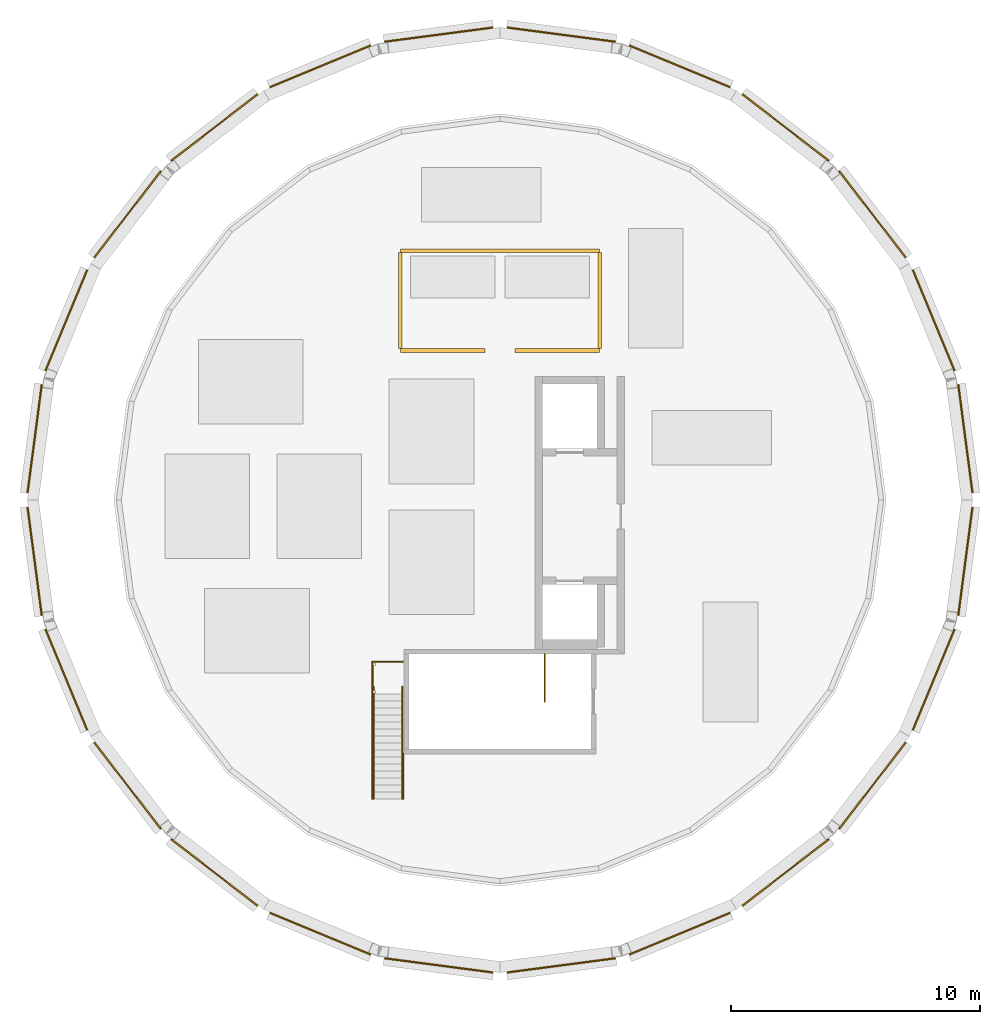
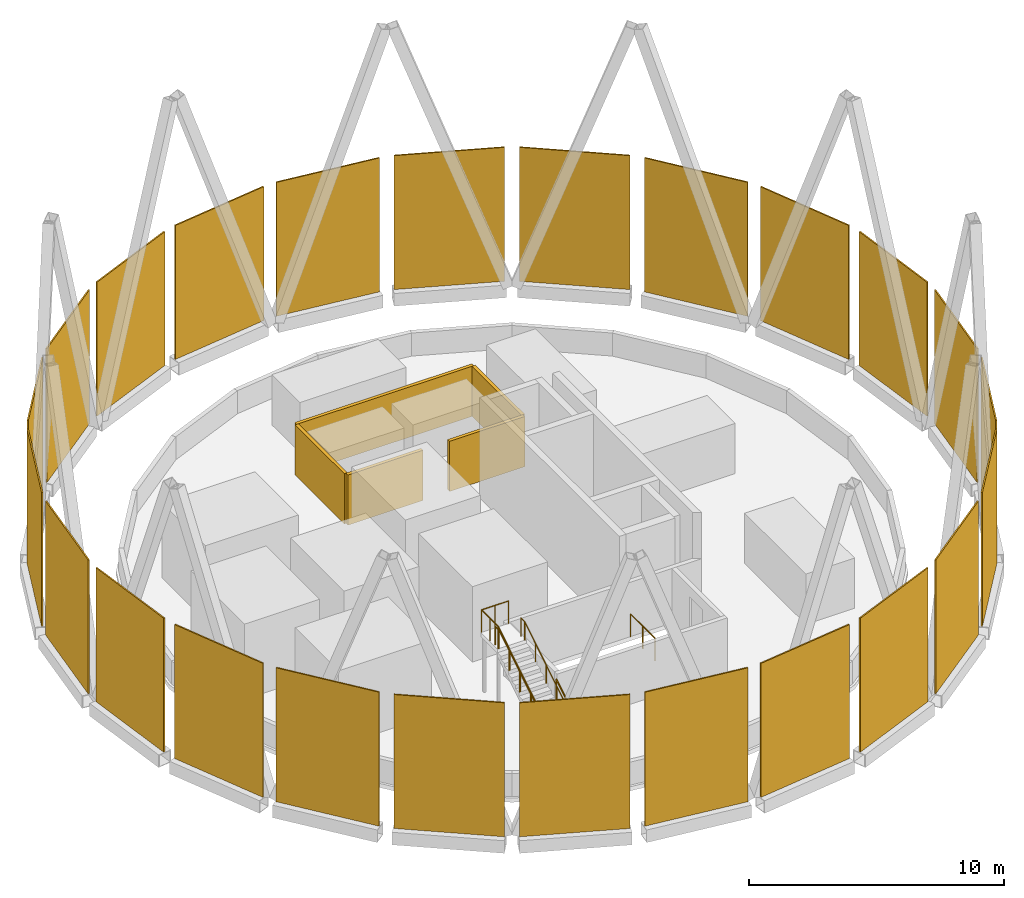
# One storey, part 3 of 4: 24 shading devices, 5 coverings, 5 railings.
"""IFC4 building model written with IfcOpenShell, lengths in metres."""

from ifc_helpers import new_model, si_unit, direction, frame, origin, origin_2d, place, context, subcontext, project, spatial, rectangle, circle, extrude, source, transform, mapped, material, layer, layer_set, type_object, element, save


model = new_model("IFC4")

# Units and contexts
model_context = context("Model", 3, precision=1e-05, world=origin(), true_north=direction((0.0, 1.0)))
body_context = subcontext(model_context, "Body", "Model", "MODEL_VIEW")
ifc_project = project(units=[si_unit("LENGTHUNIT", "METRE"), si_unit("AREAUNIT", "SQUARE_METRE"), si_unit("VOLUMEUNIT", "CUBIC_METRE"), si_unit("PLANEANGLEUNIT", "RADIAN"), si_unit("MASSUNIT", "GRAM", prefix="KILO")], contexts=[model_context])

# Site, building, storey
site_placement = place(None, origin())
site = spatial("IfcSite", under=ifc_project, at=site_placement, CompositionType="ELEMENT")
building_placement = place(site_placement, origin())
building = spatial("IfcBuilding", under=site, at=building_placement, Name="Triune Harvest Tower", CompositionType="ELEMENT")
storey_placement = place(building_placement, frame((0.0, 0.0, 299.699951171875)))
storey = spatial("IfcBuildingStorey", under=building, at=storey_placement, Name="RF", CompositionType="ELEMENT", Elevation=299.699951171875)

# Covering
ifc_material_1 = material(Name="Aluminium bronze anodised", Category="aluminium")
ifc_layer_1 = layer(ifc_material_1, 0.14990234375)
ifc_layer_set_1 = layer_set([ifc_layer_1], Name="Aluminium bronze anodised")
covering_type = type_object("IfcCoveringType", Name="SC-1 plant screen", PredefinedType="CLADDING", material=ifc_layer_set_1)
covering_placement = place(storey_placement, frame((0.0, 10.0, 0.0), z_axis=(0.0, 0.0, 1.0), x_axis=(1.0, 0.0, 0.0)))
element("IfcCovering", 1, at=covering_placement, inside=storey, type_object=covering_type, Name="Plant screen 2", PredefinedType="CLADDING", context=body_context, shape_type="SweptSolid", body=[
    extrude(rectangle(XDim=8.0, YDim=0.14990234375, at=origin_2d()), origin(), (0.0, 0.0, 1.0), 2.39990234375),
])

# Railings
ifc_material_2 = material(Name="Stainless steel AISI 316", Category="steel")
railing_type_1 = type_object("IfcRailingType", Name="Stair well guard 1100", PredefinedType="GUARDRAIL", material=ifc_material_2)
railing_1_placement = place(storey_placement, frame((1.7900390625, -6.18994140625, 0.0)))
element("IfcRailing", 2, at=railing_1_placement, inside=storey, type_object=railing_type_1, Name="Exit stair south well guard", PredefinedType="GUARDRAIL", context=body_context, shape_type="SweptSolid", body=[
    extrude(circle(Radius=0.02392578125, at=origin_2d()), frame((0.0, 0.0, 1.076171875), z_axis=(0.0, -1.0, 0.0), x_axis=(1.0, 0.0, 0.0)), (0.0, 0.0, 1.0), 1.900146484375),
    extrude(circle(Radius=0.02099609375, at=origin_2d()), origin(), (0.0, 0.0, 1.0), 1.052001953125),
    extrude(circle(Radius=0.02099609375, at=origin_2d()), frame((0.0, -0.9501953125, 0.0)), (0.0, 0.0, 1.0), 1.052001953125),
    extrude(circle(Radius=0.02099609375, at=origin_2d()), frame((0.0, -1.900146484375, 0.0)), (0.0, 0.0, 1.0), 1.052001953125),
])
railing_2_placement = place(storey_placement, frame((-5.1201171875, -11.989990234375, 0.175048828125)))
element("IfcRailing", 3, at=railing_2_placement, inside=storey, type_object=railing_type_1, Name="RA-1 guard west and landing", PredefinedType="GUARDRAIL", context=body_context, shape_type="SweptSolid", body=[
    extrude(circle(Radius=0.02392578125, at=origin_2d()), frame((0.0, 0.0, 1.076171875), z_axis=(0.0, 0.847995534698, 0.530003370869), x_axis=(-1.0, 0.0, 0.0)), (0.0, 0.0, 1.0), 4.952880859375),
    extrude(circle(Radius=0.02392578125, at=origin_2d()), frame((0.0, 4.199951171875, 3.701171875), z_axis=(0.0, 1.0, 0.0), x_axis=(-1.0, 0.0, 0.0)), (0.0, 0.0, 1.0), 1.300048828125),
    extrude(circle(Radius=0.02392578125, at=origin_2d()), frame((0.0, 5.5, 3.701171875), z_axis=(1.0, 0.0, 0.0), x_axis=(0.0, 1.0, 0.0)), (0.0, 0.0, 1.0), 1.22021484375),
    extrude(circle(Radius=0.02099609375, at=origin_2d()), origin(), (0.0, 0.0, 1.0), 1.052001953125),
    extrude(circle(Radius=0.02099609375, at=origin_2d()), frame((0.0, 0.840087890625, 0.52490234375)), (0.0, 0.0, 1.0), 1.052001953125),
    extrude(circle(Radius=0.02099609375, at=origin_2d()), frame((0.0, 1.679931640625, 1.050048828125)), (0.0, 0.0, 1.0), 1.052001953125),
    extrude(circle(Radius=0.02099609375, at=origin_2d()), frame((0.0, 2.52001953125, 1.574951171875)), (0.0, 0.0, 1.0), 1.052001953125),
    extrude(circle(Radius=0.02099609375, at=origin_2d()), frame((0.0, 3.35986328125, 2.10009765625)), (0.0, 0.0, 1.0), 1.052001953125),
    extrude(circle(Radius=0.02099609375, at=origin_2d()), frame((0.0, 4.199951171875, 2.625)), (0.0, 0.0, 1.0), 1.052001953125),
    extrude(circle(Radius=0.02099609375, at=origin_2d()), frame((0.0, 4.85009765625, 2.625)), (0.0, 0.0, 1.0), 1.052001953125),
    extrude(circle(Radius=0.02099609375, at=origin_2d()), frame((0.0, 5.5, 2.625)), (0.0, 0.0, 1.0), 1.052001953125),
    extrude(circle(Radius=0.02099609375, at=origin_2d()), frame((0.610107421875, 5.5, 2.625)), (0.0, 0.0, 1.0), 1.052001953125),
    extrude(circle(Radius=0.02099609375, at=origin_2d()), frame((1.22021484375, 5.5, 2.625)), (0.0, 0.0, 1.0), 1.052001953125),
])
railing_3_placement = place(storey_placement, frame((-3.8798828125, -11.989990234375, 0.175048828125)))
element("IfcRailing", 4, at=railing_3_placement, inside=storey, type_object=railing_type_1, Name="RA-1 guard east", PredefinedType="GUARDRAIL", context=body_context, shape_type="SweptSolid", body=[
    extrude(circle(Radius=0.02392578125, at=origin_2d()), frame((0.0, 0.0, 1.076171875), z_axis=(0.0, 0.848004765453, 0.529988601547), x_axis=(-1.0, 0.0, 0.0)), (0.0, 0.0, 1.0), 2.122802734375),
    extrude(circle(Radius=0.02099609375, at=origin_2d()), origin(), (0.0, 0.0, 1.0), 1.052001953125),
    extrude(circle(Radius=0.02099609375, at=origin_2d()), frame((0.0, 0.89990234375, 0.5625)), (0.0, 0.0, 1.0), 1.052001953125),
    extrude(circle(Radius=0.02099609375, at=origin_2d()), frame((0.0, 1.800048828125, 1.125)), (0.0, 0.0, 1.0), 1.052001953125),
])

# Coverings
shared_shape_1 = source(origin(), body_context, "Body", "SweptSolid", [
    extrude(rectangle(XDim=3.39990234375, YDim=0.14990234375, at=origin_2d()), origin(), (0.0, 0.0, 1.0), 2.39990234375),
])
for number, where, z_axis, x_axis, name in (
    (5, (-2.300048828125, 6.0, 0.0), (0.0, 0.0, 1.0), (1.0, 0.0, 0.0), "Plant screen 1"),
    (6, (2.300048828125, 6.0, 0.0), (0.0, 0.0, 1.0), (1.0, 0.0, 0.0), "Plant screen 5"),
):
    element("IfcCovering", number, at=place(storey_placement, frame(where, z_axis=z_axis, x_axis=x_axis)), inside=storey, type_object=covering_type, Name=name, PredefinedType="CLADDING", context=body_context, shape_type="MappedRepresentation", body=[
        mapped(shared_shape_1, transform((0.0, 0.0, 0.0), scale=1.0)),
    ])
shared_shape_2 = source(origin(), body_context, "Body", "SweptSolid", [
    extrude(rectangle(XDim=0.14990234375, YDim=3.85009765625, at=origin_2d()), origin(), (0.0, 0.0, 1.0), 2.39990234375),
])
for number, where, z_axis, x_axis, name in (
    (7, (-4.0, 8.0, 0.0), (0.0, 0.0, 1.0), (1.0, 0.0, 0.0), "Plant screen 3"),
    (8, (4.0, 8.0, 0.0), (0.0, 0.0, 1.0), (1.0, 0.0, 0.0), "Plant screen 4"),
):
    element("IfcCovering", number, at=place(storey_placement, frame(where, z_axis=z_axis, x_axis=x_axis)), inside=storey, type_object=covering_type, Name=name, PredefinedType="CLADDING", context=body_context, shape_type="MappedRepresentation", body=[
        mapped(shared_shape_2, transform((0.0, 0.0, 0.0), scale=1.0)),
    ])

# Railings
ifc_material_3 = material(Name="Stainless steel AISI 316", Category="steel")
railing_type_2 = type_object("IfcRailingType", Name="Stair handrail", PredefinedType="HANDRAIL", material=ifc_material_3)
shared_shape_3 = source(origin(), body_context, "Body", "SweptSolid", [
    extrude(circle(Radius=0.02392578125, at=origin_2d()), frame((0.0, 0.0, 0.8759765625), z_axis=(0.0, 0.847995534698, 0.530003370869), x_axis=(-1.0, 0.0, 0.0)), (0.0, 0.0, 1.0), 4.952880859375),
    extrude(circle(Radius=0.02392578125, at=origin_2d()), frame((0.0, 4.199951171875, 3.5009765625), z_axis=(0.0, 1.0, 0.0), x_axis=(-1.0, 0.0, 0.0)), (0.0, 0.0, 1.0), 0.300048828125),
    extrude(circle(Radius=0.02099609375, at=origin_2d()), origin(), (0.0, 0.0, 1.0), 0.851806640625),
    extrude(circle(Radius=0.02099609375, at=origin_2d()), frame((0.0, 0.840087890625, 0.52490234375)), (0.0, 0.0, 1.0), 0.851806640625),
    extrude(circle(Radius=0.02099609375, at=origin_2d()), frame((0.0, 1.679931640625, 1.050048828125)), (0.0, 0.0, 1.0), 0.851806640625),
    extrude(circle(Radius=0.02099609375, at=origin_2d()), frame((0.0, 2.52001953125, 1.574951171875)), (0.0, 0.0, 1.0), 0.851806640625),
    extrude(circle(Radius=0.02099609375, at=origin_2d()), frame((0.0, 3.35986328125, 2.10009765625)), (0.0, 0.0, 1.0), 0.851806640625),
    extrude(circle(Radius=0.02099609375, at=origin_2d()), frame((0.0, 4.199951171875, 2.625)), (0.0, 0.0, 1.0), 0.851806640625),
    extrude(circle(Radius=0.02099609375, at=origin_2d()), frame((0.0, 4.5, 2.625)), (0.0, 0.0, 1.0), 0.851806640625),
])
for number, where, name in (
    (9, (-5.080078125, -11.989990234375, 0.175048828125), "RA-1 west handrail"),
    (10, (-3.919921875, -11.989990234375, 0.175048828125), "RA-1 east handrail"),
):
    element("IfcRailing", number, at=place(storey_placement, frame(where)), inside=storey, type_object=railing_type_2, Name=name, PredefinedType="HANDRAIL", context=body_context, shape_type="MappedRepresentation", body=[
        mapped(shared_shape_3, transform((0.0, 0.0, 0.0), scale=1.0)),
    ])

# Shading devices
ifc_material_4 = material(Name="Aluminium bronze perforated", Category="aluminium")
ifc_layer_2 = layer(ifc_material_4, 0.06005859375)
ifc_layer_set_2 = layer_set([ifc_layer_2], Name="Aluminium bronze perforated")
shading_device_type = type_object("IfcShadingDeviceType", Name="SCR-1 crown screen panel 60", PredefinedType="USERDEFINED", material=ifc_layer_set_2)
shared_shape_4 = source(origin(), body_context, "Body", "SweptSolid", [
    extrude(rectangle(XDim=4.360107421875, YDim=0.06005859375, at=origin_2d()), origin(), (0.0, 0.0, 1.0), 6.39990234375),
])
for number, where, z_axis, x_axis, name in (
    (11, (18.67626953125, 2.458740234375, 0.60009765625), (0.0, 0.0, 1.0), (-0.130522731424, 0.99144531699, 0.0), "Crown SCREEN panel 1.1"),
    (12, (17.403564453125, 7.208740234375, 0.60009765625), (0.0, 0.0, 1.0), (-0.382685044838, 0.923878864601, 0.0), "Crown SCREEN panel 2.1"),
    (13, (14.944580078125, 11.467529296875, 0.60009765625), (0.0, 0.0, 1.0), (-0.608769736952, 0.793346965313, 0.0), "Crown SCREEN panel 3.1"),
    (14, (11.467529296875, 14.944580078125, 0.60009765625), (0.0, 0.0, 1.0), (-0.793346965313, 0.608769736952, 0.0), "Crown SCREEN panel 4.1"),
    (15, (7.208740234375, 17.403564453125, 0.60009765625), (0.0, 0.0, 1.0), (-0.923878864601, 0.382685044838, 0.0), "Crown SCREEN panel 5.1"),
    (16, (2.458740234375, 18.67626953125, 0.60009765625), (0.0, 0.0, 1.0), (-0.99144531699, 0.130522731424, 0.0), "Crown SCREEN panel 6.1"),
    (17, (-2.458740234375, 18.67626953125, 0.60009765625), (0.0, 0.0, 1.0), (-0.99144531699, -0.130522731424, 0.0), "Crown SCREEN panel 7.1"),
    (18, (-7.208740234375, 17.403564453125, 0.60009765625), (0.0, 0.0, 1.0), (-0.923878864601, -0.382685044838, 0.0), "Crown SCREEN panel 8.1"),
    (19, (-11.467529296875, 14.944580078125, 0.60009765625), (0.0, 0.0, 1.0), (-0.793346965313, -0.608769736952, 0.0), "Crown SCREEN panel 9.1"),
    (20, (-14.944580078125, 11.467529296875, 0.60009765625), (0.0, 0.0, 1.0), (-0.608769736952, -0.793346965313, 0.0), "Crown SCREEN panel 10.1"),
    (21, (-17.403564453125, 7.208740234375, 0.60009765625), (0.0, 0.0, 1.0), (-0.382685044838, -0.923878864601, 0.0), "Crown SCREEN panel 11.1"),
    (22, (-18.67626953125, 2.458740234375, 0.60009765625), (0.0, 0.0, 1.0), (-0.130522731424, -0.99144531699, 0.0), "Crown SCREEN panel 12.1"),
    (23, (-18.67626953125, -2.458740234375, 0.60009765625), (0.0, 0.0, 1.0), (0.130522731424, -0.99144531699, 0.0), "Crown SCREEN panel 13.1"),
    (24, (-17.403564453125, -7.208740234375, 0.60009765625), (0.0, 0.0, 1.0), (0.382685044838, -0.923878864601, 0.0), "Crown SCREEN panel 14.1"),
    (25, (-14.944580078125, -11.467529296875, 0.60009765625), (0.0, 0.0, 1.0), (0.608769736952, -0.793346965313, 0.0), "Crown SCREEN panel 15.1"),
    (26, (-11.467529296875, -14.944580078125, 0.60009765625), (0.0, 0.0, 1.0), (0.793346965313, -0.608769736952, 0.0), "Crown SCREEN panel 16.1"),
    (27, (-7.208740234375, -17.403564453125, 0.60009765625), (0.0, 0.0, 1.0), (0.923878864601, -0.382685044838, 0.0), "Crown SCREEN panel 17.1"),
    (28, (-2.458740234375, -18.67626953125, 0.60009765625), (0.0, 0.0, 1.0), (0.99144531699, -0.130522731424, 0.0), "Crown SCREEN panel 18.1"),
    (29, (2.458740234375, -18.67626953125, 0.60009765625), (0.0, 0.0, 1.0), (0.99144531699, 0.130522731424, 0.0), "Crown SCREEN panel 19.1"),
    (30, (7.208740234375, -17.403564453125, 0.60009765625), (0.0, 0.0, 1.0), (0.923878864601, 0.382685044838, 0.0), "Crown SCREEN panel 20.1"),
    (31, (11.467529296875, -14.944580078125, 0.60009765625), (0.0, 0.0, 1.0), (0.793346965313, 0.608769736952, 0.0), "Crown SCREEN panel 21.1"),
    (32, (14.944580078125, -11.467529296875, 0.60009765625), (0.0, 0.0, 1.0), (0.608769736952, 0.793346965313, 0.0), "Crown SCREEN panel 22.1"),
    (33, (17.403564453125, -7.208740234375, 0.60009765625), (0.0, 0.0, 1.0), (0.382685044838, 0.923878864601, 0.0), "Crown SCREEN panel 23.1"),
    (34, (18.67626953125, -2.458740234375, 0.60009765625), (0.0, 0.0, 1.0), (0.130522731424, 0.99144531699, 0.0), "Crown SCREEN panel 24.1"),
):
    element("IfcShadingDevice", number, at=place(storey_placement, frame(where, z_axis=z_axis, x_axis=x_axis)), inside=storey, type_object=shading_device_type, Name=name, ObjectType="SCREEN", PredefinedType="USERDEFINED", context=body_context, shape_type="MappedRepresentation", body=[
        mapped(shared_shape_4, transform((0.0, 0.0, 0.0), scale=1.0)),
    ])

save(model, "model.ifc")
